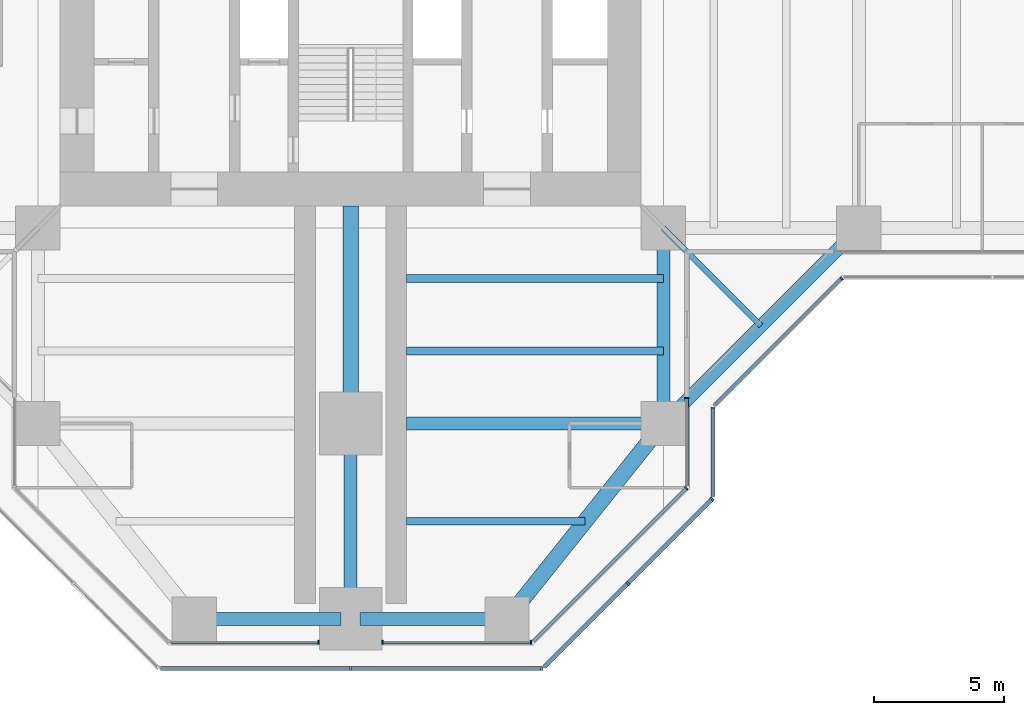
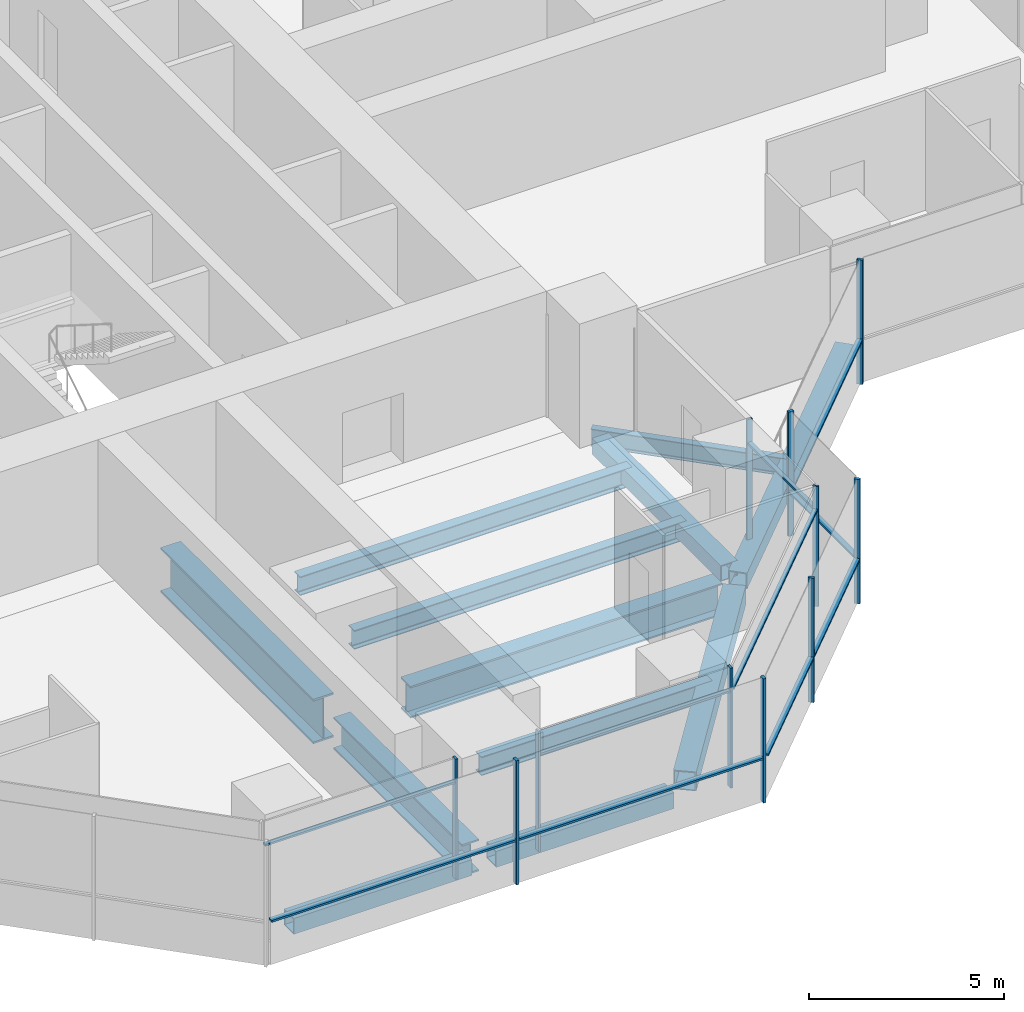
# One storey, part 4 of 20: 21 members, 12 beams, 8 elements without a shape of their own.
"""IFC4 building model written with IfcOpenShell, lengths in metres."""

from ifc_helpers import new_model, si_unit, direction, frame, origin, origin_2d, place, context, subcontext, project, spatial, rectangle, hollow_rectangle, i_section, extrude, material, material_profile, profile_set, type_object, element, aggregate, save


model = new_model("IFC4")

# Units and contexts
model_context = context("Model", 3, precision=1e-05, world=origin(), true_north=direction((0.0, 1.0)))
body_context = subcontext(model_context, "Body", "Model", "MODEL_VIEW")
ifc_project = project(units=[si_unit("LENGTHUNIT", "METRE"), si_unit("AREAUNIT", "SQUARE_METRE"), si_unit("VOLUMEUNIT", "CUBIC_METRE"), si_unit("PLANEANGLEUNIT", "RADIAN"), si_unit("MASSUNIT", "GRAM", prefix="KILO")], contexts=[model_context])

# Site, building, storey
site_placement = place(None, origin())
site = spatial("IfcSite", under=ifc_project, at=site_placement, CompositionType="ELEMENT")
building_placement = place(site_placement, origin())
building = spatial("IfcBuilding", under=site, at=building_placement, Name="Mizan Broadcast Tower", CompositionType="ELEMENT")
storey_placement = place(building_placement, frame((0.0, 0.0, 155.39990234375)))
storey = spatial("IfcBuildingStorey", under=building, at=storey_placement, Name="L35", CompositionType="ELEMENT", Elevation=155.39990234375)

# Beams
ifc_material_1 = material(Name="Steel S355", Category="steel")
ifc_material_profile_1 = material_profile(ifc_material_1, hollow_rectangle(XDim=0.5, YDim=0.5, WallThickness=0.030029296875, at=origin_2d()), Name="BOX 500x500x30")
ifc_profile_set_1 = profile_set([ifc_material_profile_1], Name="Steel S355")
beam_type_1 = type_object("IfcBeamType", Name="EDGE BEAM BOX 500x500x30", PredefinedType="SPANDREL", material=ifc_profile_set_1)
beam_1_placement = place(storey_placement, frame((-5.639892578125, -27.0, -0.3798828125), z_axis=(1.0, 0.0, 0.0), x_axis=(0.0, 1.0, 0.0)))
element("IfcBeam", 1, at=beam_1_placement, inside=storey, type_object=beam_type_1, Name="Edge beam BOX 500x500x30 L35 south arm", PredefinedType="SPANDREL", context=body_context, shape_type="SweptSolid", body=[
    extrude(hollow_rectangle(XDim=0.5, YDim=0.5, WallThickness=0.030029296875, at=origin_2d()), origin(), (0.0, 0.0, 1.0), 5.27978515625),
])
beam_2_placement = place(storey_placement, frame((12.0, -12.449951171875, -0.3798828125), z_axis=(0.0, -1.0, 0.0), x_axis=(1.0, 0.0, 0.0)))
element("IfcBeam", 2, at=beam_2_placement, inside=storey, type_object=beam_type_1, Name="Edge beam BOX 500x500x30 L35 south arm", PredefinedType="SPANDREL", context=body_context, shape_type="SweptSolid", body=[
    extrude(hollow_rectangle(XDim=0.5, YDim=0.5, WallThickness=0.030029296875, at=origin_2d()), origin(), (0.0, 0.0, 1.0), 6.60009765625),
])
beam_3_placement = place(storey_placement, frame((5.639892578125, -27.0, -0.3798828125), z_axis=(-1.0, 0.0, 0.0), x_axis=(0.0, -1.0, 0.0)))
element("IfcBeam", 3, at=beam_3_placement, inside=storey, type_object=beam_type_1, Name="Edge beam BOX 500x500x30 L35 south arm", PredefinedType="SPANDREL", context=body_context, shape_type="SweptSolid", body=[
    extrude(hollow_rectangle(XDim=0.5, YDim=0.5, WallThickness=0.030029296875, at=origin_2d()), origin(), (0.0, 0.0, 1.0), 5.27978515625),
])
beam_4_placement = place(storey_placement, frame((12.0, -19.5, -0.3798828125), z_axis=(0.707106781187, 0.707106781187, 0.0), x_axis=(-0.707106781187, 0.707106781187, 0.0)))
element("IfcBeam", 4, at=beam_4_placement, inside=storey, type_object=beam_type_1, Name="Winter garden edge beam L35 S", PredefinedType="SPANDREL", context=body_context, shape_type="SweptSolid", body=[
    extrude(hollow_rectangle(XDim=0.5, YDim=0.5, WallThickness=0.030029296875, at=origin_2d()), origin(), (0.0, 0.0, 1.0), 10.606689453125),
])
ifc_material_2 = material(Name="Steel S355", Category="steel")
ifc_material_profile_2 = material_profile(ifc_material_2, hollow_rectangle(XDim=0.60009765625, YDim=0.60009765625, WallThickness=0.030029296875, at=origin_2d()), Name="BOX 600x600x30")
ifc_profile_set_2 = profile_set([ifc_material_profile_2], Name="Steel S355")
beam_type_2 = type_object("IfcBeamType", Name="EDGE BEAM BOX 600x600x30", PredefinedType="SPANDREL", material=ifc_profile_set_2)
beam_5_placement = place(storey_placement, frame((11.639892578125, -19.949951171875, -0.429931640625), z_axis=(-0.624673911726, -0.780885717636, 0.0), x_axis=(0.780885717636, -0.624673911726, 0.0)))
element("IfcBeam", 5, at=beam_5_placement, inside=storey, type_object=beam_type_2, Name="Edge beam BOX 600x600x30 L35 south arm", PredefinedType="SPANDREL", context=body_context, shape_type="SweptSolid", body=[
    extrude(hollow_rectangle(XDim=0.60009765625, YDim=0.60009765625, WallThickness=0.030029296875, at=origin_2d()), origin(), (0.0, 0.0, 1.0), 8.4521484375),
])
ifc_material_3 = material(Name="Steel S460", Category="steel")
ifc_material_profile_3 = material_profile(ifc_material_3, i_section(OverallWidth=0.5, OverallDepth=1.0, WebThickness=0.02490234375, FlangeThickness=0.050048828125, at=origin_2d()), Name="WPG 1000x500")
ifc_profile_set_3 = profile_set([ifc_material_profile_3], Name="Steel S460")
beam_type_3 = type_object("IfcBeamType", Name="GIRDER WPG 1000x500", PredefinedType="BEAM", material=ifc_profile_set_3)
beam_6_placement = place(storey_placement, frame((0.0, -19.949951171875, -0.6298828125), z_axis=(0.0, -1.0, 0.0), x_axis=(1.0, 0.0, 0.0)))
element("IfcBeam", 6, at=beam_6_placement, inside=storey, type_object=beam_type_3, Name="Girder WPG 1000x500 L35 south arm", PredefinedType="BEAM", context=body_context, shape_type="SweptSolid", body=[
    extrude(i_section(OverallWidth=0.5, OverallDepth=1.0, WebThickness=0.02490234375, FlangeThickness=0.050048828125, at=origin_2d()), origin(), (0.0, 0.0, 1.0), 6.60009765625),
])
beam_7_placement = place(storey_placement, frame((11.408935546875, -19.5, -0.6298828125), z_axis=(-1.0, 0.0, 0.0), x_axis=(0.0, -1.0, 0.0)))
element("IfcBeam", 7, at=beam_7_placement, inside=storey, type_object=beam_type_3, Name="Girder WPG 1000x500 L35 south arm", PredefinedType="BEAM", context=body_context, shape_type="SweptSolid", body=[
    extrude(i_section(OverallWidth=0.5, OverallDepth=1.0, WebThickness=0.02490234375, FlangeThickness=0.050048828125, at=origin_2d()), origin(), (0.0, 0.0, 1.0), 9.259033203125),
])
ifc_material_4 = material(Name="Steel S460", Category="steel")
ifc_material_profile_4 = material_profile(ifc_material_4, i_section(OverallWidth=0.60009765625, OverallDepth=1.39990234375, WebThickness=0.02490234375, FlangeThickness=0.06005859375, at=origin_2d()), Name="WPG 1400x600")
ifc_profile_set_4 = profile_set([ifc_material_profile_4], Name="Steel S460")
beam_type_4 = type_object("IfcBeamType", Name="GIRDER WPG 1400x600", PredefinedType="BEAM", material=ifc_profile_set_4)
beam_8_placement = place(storey_placement, frame((0.0, -11.14990234375, -0.829833984375), z_axis=(0.0, -1.0, 0.0), x_axis=(1.0, 0.0, 0.0)))
element("IfcBeam", 8, at=beam_8_placement, inside=storey, type_object=beam_type_4, Name="Girder WPG 1400x600 L35 south arm", PredefinedType="BEAM", context=body_context, shape_type="SweptSolid", body=[
    extrude(i_section(OverallWidth=0.60009765625, OverallDepth=1.39990234375, WebThickness=0.02490234375, FlangeThickness=0.06005859375, at=origin_2d()), origin(), (0.0, 0.0, 1.0), 7.84912109375),
])

# Curtain wall, member
ifc_material_5 = material(Name="Aluminium framed glazing", Category="aluminium")
curtain_wall_type_1 = type_object("IfcCurtainWallType", Name="INNER SKIN MID ZONE", PredefinedType="USERDEFINED", material=ifc_material_5)
curtain_wall_1_placement = place(storey_placement, origin())
curtain_wall_1 = element("IfcCurtainWall", 9, at=curtain_wall_1_placement, inside=storey, type_object=curtain_wall_type_1, Name="Inner skin mid zone L35 S end", ObjectType="INNER SKIN MID ZONE", PredefinedType="USERDEFINED")
ifc_material_6 = material(Name="Aluminium, pale anodised", Category="aluminium")
ifc_material_profile_5 = material_profile(ifc_material_6, rectangle(XDim=0.159912109375, YDim=0.06005859375, at=origin_2d()), Name="MULLION 160x60")
ifc_profile_set_5 = profile_set([ifc_material_profile_5], Name="Aluminium, pale anodised")
member_type_1 = type_object("IfcMemberType", Name="INNER SKIN MULLION 60x160", PredefinedType="MULLION", material=ifc_profile_set_5)
member_1_placement = place(storey_placement, frame((-1.22998046875, -27.89990234375, 0.0), z_axis=(0.0, 0.0, 1.0), x_axis=(0.0, 1.0, 0.0)))
member_1 = element("IfcMember", 10, at=member_1_placement, type_object=member_type_1, Name="Inner skin mid zone L35 S end mullion 2", PredefinedType="MULLION", context=body_context, shape_type="SweptSolid", body=[
    extrude(rectangle(XDim=0.159912109375, YDim=0.06005859375, at=origin_2d()), origin(), (0.0, 0.0, 1.0), 3.77001953125),
])

# Curtain wall, members
curtain_wall_2_placement = place(storey_placement, origin())
curtain_wall_2 = element("IfcCurtainWall", 11, at=curtain_wall_2_placement, inside=storey, type_object=curtain_wall_type_1, Name="Inner skin mid zone L35 S end", ObjectType="INNER SKIN MID ZONE", PredefinedType="USERDEFINED")
member_2_placement = place(storey_placement, frame((1.22998046875, -27.89990234375, 0.0), z_axis=(0.0, 0.0, 1.0), x_axis=(0.0, 1.0, 0.0)))
member_2 = element("IfcMember", 12, at=member_2_placement, type_object=member_type_1, Name="Inner skin mid zone L35 S end mullion 1", PredefinedType="MULLION", context=body_context, shape_type="SweptSolid", body=[
    extrude(rectangle(XDim=0.159912109375, YDim=0.06005859375, at=origin_2d()), origin(), (0.0, 0.0, 1.0), 3.77001953125),
])
member_3_placement = place(storey_placement, frame((6.928466796875, -27.89990234375, 0.0), z_axis=(0.0, 0.0, 1.0), x_axis=(0.0, 1.0, 0.0)))
member_3 = element("IfcMember", 13, at=member_3_placement, type_object=member_type_1, Name="Inner skin mid zone L35 S end mullion 2", PredefinedType="MULLION", context=body_context, shape_type="SweptSolid", body=[
    extrude(rectangle(XDim=0.159912109375, YDim=0.06005859375, at=origin_2d()), origin(), (0.0, 0.0, 1.0), 3.77001953125),
])

# Curtain wall, member
curtain_wall_3_placement = place(storey_placement, origin())
curtain_wall_3 = element("IfcCurtainWall", 14, at=curtain_wall_3_placement, inside=storey, type_object=curtain_wall_type_1, Name="Inner skin mid zone L35 S chamfer", ObjectType="INNER SKIN MID ZONE", PredefinedType="USERDEFINED")
member_4_placement = place(storey_placement, frame((12.87890625, -21.979736328125, 0.0), z_axis=(0.0, 0.0, 1.0), x_axis=(-0.707106781187, 0.707106781187, 0.0)))
member_4 = element("IfcMember", 15, at=member_4_placement, type_object=member_type_1, Name="Inner skin mid zone L35 S chamfer mullion 2", PredefinedType="MULLION", context=body_context, shape_type="SweptSolid", body=[
    extrude(rectangle(XDim=0.159912109375, YDim=0.06005859375, at=origin_2d()), origin(), (0.0, 0.0, 1.0), 3.77001953125),
])

curtain_wall_4_placement = place(storey_placement, origin())
curtain_wall_4 = element("IfcCurtainWall", 16, at=curtain_wall_4_placement, inside=storey, type_object=curtain_wall_type_1, Name="Inner skin mid zone L35 S side", ObjectType="INNER SKIN MID ZONE", PredefinedType="USERDEFINED")
member_5_placement = place(storey_placement, frame((12.89990234375, -18.530029296875, 0.0), z_axis=(0.0, 0.0, 1.0), x_axis=(-1.0, 0.0, 0.0)))
member_5 = element("IfcMember", 17, at=member_5_placement, type_object=member_type_1, Name="Inner skin mid zone L35 S side mullion 2", PredefinedType="MULLION", context=body_context, shape_type="SweptSolid", body=[
    extrude(rectangle(XDim=0.159912109375, YDim=0.06005859375, at=origin_2d()), origin(), (0.0, 0.0, 1.0), 3.77001953125),
])

# Member
ifc_material_7 = material(Name="Aluminium, pale anodised", Category="aluminium")
ifc_material_profile_6 = material_profile(ifc_material_7, rectangle(XDim=0.1201171875, YDim=0.06005859375, at=origin_2d()), Name="TRANSOM 120x60")
ifc_profile_set_6 = profile_set([ifc_material_profile_6], Name="Aluminium, pale anodised")
member_type_2 = type_object("IfcMemberType", Name="INNER SKIN TRANSOM 60x120", PredefinedType="USERDEFINED", material=ifc_profile_set_6)
member_6_placement = place(storey_placement, frame((-6.898681640625, -27.89990234375, 3.030029296875), z_axis=(1.0, 0.0, 0.0), x_axis=(0.0, 1.0, 0.0)))
member_6 = element("IfcMember", 18, at=member_6_placement, type_object=member_type_2, Name="Inner skin mid zone L35 S end transom 1.1", ObjectType="TRANSOM", PredefinedType="USERDEFINED", context=body_context, shape_type="SweptSolid", body=[
    extrude(rectangle(XDim=0.1201171875, YDim=0.06005859375, at=origin_2d()), origin(), (0.0, 0.0, 1.0), 5.638671875),
])

aggregate(curtain_wall_1, [member_1, member_6])

member_7_placement = place(storey_placement, frame((1.260009765625, -27.89990234375, 3.030029296875), z_axis=(1.0, 0.0, 0.0), x_axis=(0.0, 1.0, 0.0)))
member_7 = element("IfcMember", 19, at=member_7_placement, type_object=member_type_2, Name="Inner skin mid zone L35 S end transom 1.1", ObjectType="TRANSOM", PredefinedType="USERDEFINED", context=body_context, shape_type="SweptSolid", body=[
    extrude(rectangle(XDim=0.1201171875, YDim=0.06005859375, at=origin_2d()), origin(), (0.0, 0.0, 1.0), 5.638671875),
])

aggregate(curtain_wall_2, [member_2, member_3, member_7])

member_8_placement = place(storey_placement, frame((7.0009765625, -27.857666015625, 3.030029296875), z_axis=(0.707106781187, 0.707106781187, 0.0), x_axis=(-0.707106781187, 0.707106781187, 0.0)))
member_8 = element("IfcMember", 20, at=member_8_placement, type_object=member_type_2, Name="Inner skin mid zone L35 S chamfer transom 1.1", ObjectType="TRANSOM", PredefinedType="USERDEFINED", context=body_context, shape_type="SweptSolid", body=[
    extrude(rectangle(XDim=0.1201171875, YDim=0.06005859375, at=origin_2d()), origin(), (0.0, 0.0, 1.0), 8.28271484375),
])

aggregate(curtain_wall_3, [member_4, member_8])

member_9_placement = place(storey_placement, frame((12.89990234375, -21.898681640625, 3.030029296875), z_axis=(0.0, 1.0, 0.0), x_axis=(-1.0, 0.0, 0.0)))
member_9 = element("IfcMember", 21, at=member_9_placement, type_object=member_type_2, Name="Inner skin mid zone L35 S side transom 1.1", ObjectType="TRANSOM", PredefinedType="USERDEFINED", context=body_context, shape_type="SweptSolid", body=[
    extrude(rectangle(XDim=0.1201171875, YDim=0.06005859375, at=origin_2d()), origin(), (0.0, 0.0, 1.0), 3.338623046875),
])

aggregate(curtain_wall_4, [member_5, member_9])

# Curtain wall, members
ifc_material_8 = material(Name="Aluminium framed glazing", Category="aluminium")
curtain_wall_type_2 = type_object("IfcCurtainWallType", Name="OUTER SKIN", PredefinedType="USERDEFINED", material=ifc_material_8)
curtain_wall_5_placement = place(storey_placement, origin())
curtain_wall_5 = element("IfcCurtainWall", 22, at=curtain_wall_5_placement, inside=storey, type_object=curtain_wall_type_2, Name="Outer skin L35 S end", ObjectType="OUTER SKIN", PredefinedType="USERDEFINED")
ifc_material_9 = material(Name="Aluminium, pale anodised", Category="aluminium")
ifc_material_profile_7 = material_profile(ifc_material_9, rectangle(XDim=0.159912109375, YDim=0.080078125, at=origin_2d()), Name="MULLION 160x80")
ifc_profile_set_7 = profile_set([ifc_material_profile_7], Name="Aluminium, pale anodised")
member_type_3 = type_object("IfcMemberType", Name="OUTER SKIN MULLION 80x160", PredefinedType="MULLION", material=ifc_profile_set_7)
member_10_placement = place(storey_placement, frame((0.0, -28.89990234375, 0.0), z_axis=(0.0, 0.0, 1.0), x_axis=(0.0, 1.0, 0.0)))
member_10 = element("IfcMember", 23, at=member_10_placement, type_object=member_type_3, Name="Outer skin L35 S end mullion 2", PredefinedType="MULLION", context=body_context, shape_type="SweptSolid", body=[
    extrude(rectangle(XDim=0.159912109375, YDim=0.080078125, at=origin_2d()), origin(), (0.0, 0.0, 1.0), 3.900146484375),
])
member_11_placement = place(storey_placement, frame((7.332763671875, -28.89990234375, 0.0), z_axis=(0.0, 0.0, 1.0), x_axis=(0.0, 1.0, 0.0)))
member_11 = element("IfcMember", 24, at=member_11_placement, type_object=member_type_3, Name="Outer skin L35 S end mullion 3", PredefinedType="MULLION", context=body_context, shape_type="SweptSolid", body=[
    extrude(rectangle(XDim=0.159912109375, YDim=0.080078125, at=origin_2d()), origin(), (0.0, 0.0, 1.0), 3.900146484375),
])

curtain_wall_6_placement = place(storey_placement, origin())
curtain_wall_6 = element("IfcCurtainWall", 25, at=curtain_wall_6_placement, inside=storey, type_object=curtain_wall_type_2, Name="Outer skin L35 S chamfer", ObjectType="OUTER SKIN", PredefinedType="USERDEFINED")
member_12_placement = place(storey_placement, frame((10.636474609375, -25.636474609375, 0.0), z_axis=(0.0, 0.0, 1.0), x_axis=(-0.707106781187, 0.707106781187, 0.0)))
member_12 = element("IfcMember", 26, at=member_12_placement, type_object=member_type_3, Name="Outer skin L35 S chamfer mullion 2", PredefinedType="MULLION", context=body_context, shape_type="SweptSolid", body=[
    extrude(rectangle(XDim=0.159912109375, YDim=0.080078125, at=origin_2d()), origin(), (0.0, 0.0, 1.0), 3.900146484375),
])
member_13_placement = place(storey_placement, frame((13.871826171875, -22.401123046875, 0.0), z_axis=(0.0, 0.0, 1.0), x_axis=(-0.707106781187, 0.707106781187, 0.0)))
member_13 = element("IfcMember", 27, at=member_13_placement, type_object=member_type_3, Name="Outer skin L35 S chamfer mullion 3", PredefinedType="MULLION", context=body_context, shape_type="SweptSolid", body=[
    extrude(rectangle(XDim=0.159912109375, YDim=0.080078125, at=origin_2d()), origin(), (0.0, 0.0, 1.0), 3.900146484375),
])

# Curtain wall, member
curtain_wall_7_placement = place(storey_placement, origin())
curtain_wall_7 = element("IfcCurtainWall", 28, at=curtain_wall_7_placement, inside=storey, type_object=curtain_wall_type_2, Name="Outer skin L35 S side", ObjectType="OUTER SKIN", PredefinedType="USERDEFINED")
member_14_placement = place(storey_placement, frame((13.89990234375, -18.912841796875, 0.0), z_axis=(0.0, 0.0, 1.0), x_axis=(-1.0, 0.0, 0.0)))
member_14 = element("IfcMember", 29, at=member_14_placement, type_object=member_type_3, Name="Outer skin L35 S side mullion 2", PredefinedType="MULLION", context=body_context, shape_type="SweptSolid", body=[
    extrude(rectangle(XDim=0.159912109375, YDim=0.080078125, at=origin_2d()), origin(), (0.0, 0.0, 1.0), 3.900146484375),
])

curtain_wall_8_placement = place(storey_placement, origin())
curtain_wall_8 = element("IfcCurtainWall", 30, at=curtain_wall_8_placement, inside=storey, type_object=curtain_wall_type_2, Name="Outer skin L35 E chamfer", ObjectType="OUTER SKIN", PredefinedType="USERDEFINED")
member_15_placement = place(storey_placement, frame((18.844482421875, -13.92822265625, 0.0), z_axis=(0.0, 0.0, 1.0), x_axis=(-0.707106781187, 0.707106781187, 0.0)))
member_15 = element("IfcMember", 31, at=member_15_placement, type_object=member_type_3, Name="Outer skin L35 E chamfer mullion 2", PredefinedType="MULLION", context=body_context, shape_type="SweptSolid", body=[
    extrude(rectangle(XDim=0.159912109375, YDim=0.080078125, at=origin_2d()), origin(), (0.0, 0.0, 1.0), 3.900146484375),
])

# Member
ifc_material_10 = material(Name="Aluminium, pale anodised", Category="aluminium")
ifc_material_profile_8 = material_profile(ifc_material_10, rectangle(XDim=0.159912109375, YDim=0.06005859375, at=origin_2d()), Name="TRANSOM 160x60")
ifc_profile_set_8 = profile_set([ifc_material_profile_8], Name="Aluminium, pale anodised")
member_type_4 = type_object("IfcMemberType", Name="OUTER SKIN TRANSOM 60x160", PredefinedType="USERDEFINED", material=ifc_profile_set_8)
member_16_placement = place(storey_placement, frame((-7.292724609375, -28.89990234375, 1.400146484375), z_axis=(1.0, 0.0, 0.0), x_axis=(0.0, 1.0, 0.0)))
member_16 = element("IfcMember", 32, at=member_16_placement, type_object=member_type_4, Name="Outer skin L35 S end transom 1.1", ObjectType="TRANSOM", PredefinedType="USERDEFINED", context=body_context, shape_type="SweptSolid", body=[
    extrude(rectangle(XDim=0.159912109375, YDim=0.06005859375, at=origin_2d()), origin(), (0.0, 0.0, 1.0), 7.252685546875),
])

member_17_placement = place(storey_placement, frame((0.0400390625, -28.89990234375, 1.400146484375), z_axis=(1.0, 0.0, 0.0), x_axis=(0.0, 1.0, 0.0)))
member_17 = element("IfcMember", 33, at=member_17_placement, type_object=member_type_4, Name="Outer skin L35 S end transom 2.1", ObjectType="TRANSOM", PredefinedType="USERDEFINED", context=body_context, shape_type="SweptSolid", body=[
    extrude(rectangle(XDim=0.159912109375, YDim=0.06005859375, at=origin_2d()), origin(), (0.0, 0.0, 1.0), 7.252685546875),
])

aggregate(curtain_wall_5, [member_10, member_11, member_16, member_17])

member_18_placement = place(storey_placement, frame((7.429443359375, -28.843505859375, 1.400146484375), z_axis=(0.707106781187, 0.707106781187, 0.0), x_axis=(-0.707106781187, 0.707106781187, 0.0)))
member_18 = element("IfcMember", 34, at=member_18_placement, type_object=member_type_4, Name="Outer skin L35 S chamfer transom 1.1", ObjectType="TRANSOM", PredefinedType="USERDEFINED", context=body_context, shape_type="SweptSolid", body=[
    extrude(rectangle(XDim=0.159912109375, YDim=0.06005859375, at=origin_2d()), origin(), (0.0, 0.0, 1.0), 4.495361328125),
])

member_19_placement = place(storey_placement, frame((10.664794921875, -25.608154296875, 1.400146484375), z_axis=(0.707106781187, 0.707106781187, 0.0), x_axis=(-0.707106781187, 0.707106781187, 0.0)))
member_19 = element("IfcMember", 35, at=member_19_placement, type_object=member_type_4, Name="Outer skin L35 S chamfer transom 2.1", ObjectType="TRANSOM", PredefinedType="USERDEFINED", context=body_context, shape_type="SweptSolid", body=[
    extrude(rectangle(XDim=0.159912109375, YDim=0.06005859375, at=origin_2d()), origin(), (0.0, 0.0, 1.0), 4.495361328125),
])

aggregate(curtain_wall_6, [member_12, member_13, member_18, member_19])

member_20_placement = place(storey_placement, frame((13.89990234375, -22.292724609375, 1.400146484375), z_axis=(0.0, 1.0, 0.0), x_axis=(-1.0, 0.0, 0.0)))
member_20 = element("IfcMember", 36, at=member_20_placement, type_object=member_type_4, Name="Outer skin L35 S side transom 1.1", ObjectType="TRANSOM", PredefinedType="USERDEFINED", context=body_context, shape_type="SweptSolid", body=[
    extrude(rectangle(XDim=0.159912109375, YDim=0.06005859375, at=origin_2d()), origin(), (0.0, 0.0, 1.0), 3.33984375),
])

aggregate(curtain_wall_7, [member_14, member_20])

member_21_placement = place(storey_placement, frame((13.95654296875, -18.816162109375, 1.400146484375), z_axis=(0.707106781187, 0.707106781187, 0.0), x_axis=(-0.707106781187, 0.707106781187, 0.0)))
member_21 = element("IfcMember", 37, at=member_21_placement, type_object=member_type_4, Name="Outer skin L35 E chamfer transom 1.1", ObjectType="TRANSOM", PredefinedType="USERDEFINED", context=body_context, shape_type="SweptSolid", body=[
    extrude(rectangle(XDim=0.159912109375, YDim=0.06005859375, at=origin_2d()), origin(), (0.0, 0.0, 1.0), 6.87255859375),
])

aggregate(curtain_wall_8, [member_15, member_21])

# Beams
ifc_material_11 = material(Name="Steel S355", Category="steel")
ifc_material_profile_9 = material_profile(ifc_material_11, i_section(OverallWidth=0.300048828125, OverallDepth=0.590087890625, WebThickness=0.012939453125, FlangeThickness=0.02490234375, FilletRadius=0.027099609375, at=origin_2d()), Name="HEA 600")
ifc_profile_set_9 = profile_set([ifc_material_profile_9], Name="Steel S355")
beam_type_5 = type_object("IfcBeamType", Name="SECONDARY BEAM HEA 600", PredefinedType="JOIST", material=ifc_profile_set_9)
for number, where, z_axis, x_axis, name in (
    (38, (12.0, -13.933349609375, -0.4248046875), (-1.0, 0.0, 0.0), (0.0, -1.0, 0.0), "Secondary beam HEA 600 L35 south arm"),
    (39, (12.0, -16.716552734375, -0.4248046875), (-1.0, 0.0, 0.0), (0.0, -1.0, 0.0), "Secondary beam HEA 600 L35 south arm"),
):
    element("IfcBeam", number, at=place(storey_placement, frame(where, z_axis=z_axis, x_axis=x_axis)), inside=storey, type_object=beam_type_5, Name=name, PredefinedType="JOIST", context=body_context, shape_type="SweptSolid", body=[
        extrude(i_section(OverallWidth=0.300048828125, OverallDepth=0.590087890625, WebThickness=0.012939453125, FlangeThickness=0.02490234375, FilletRadius=0.027099609375, at=origin_2d()), origin(), (0.0, 0.0, 1.0), 9.85009765625),
    ])
beam_9_placement = place(storey_placement, frame((9.0, -23.25, -0.4248046875), z_axis=(-1.0, 0.0, 0.0), x_axis=(0.0, -1.0, 0.0)))
element("IfcBeam", 40, at=beam_9_placement, inside=storey, type_object=beam_type_5, Name="Secondary beam HEA 600 L35 south arm", PredefinedType="JOIST", context=body_context, shape_type="SweptSolid", body=[
    extrude(i_section(OverallWidth=0.300048828125, OverallDepth=0.590087890625, WebThickness=0.012939453125, FlangeThickness=0.02490234375, FilletRadius=0.027099609375, at=origin_2d()), origin(), (0.0, 0.0, 1.0), 6.85009765625),
])
ifc_material_12 = material(Name="Steel S355", Category="steel")
ifc_material_profile_10 = material_profile(ifc_material_12, i_section(OverallWidth=0.2099609375, OverallDepth=0.550048828125, WebThickness=0.010986328125, FlangeThickness=0.01708984375, FilletRadius=0.02392578125, at=origin_2d()), Name="IPE 550")
ifc_profile_set_10 = profile_set([ifc_material_profile_10], Name="Steel S355")
beam_type_6 = type_object("IfcBeamType", Name="SECONDARY BEAM IPE 550", PredefinedType="JOIST", material=ifc_profile_set_10)
beam_10_placement = place(storey_placement, frame((12.0, -12.0, -0.40478515625), z_axis=(0.707106781187, -0.707106781187, 0.0), x_axis=(0.707106781187, 0.707106781187, 0.0)))
element("IfcBeam", 41, at=beam_10_placement, inside=storey, type_object=beam_type_6, Name="Winter garden beam L35 S", PredefinedType="JOIST", context=body_context, shape_type="SweptSolid", body=[
    extrude(i_section(OverallWidth=0.2099609375, OverallDepth=0.550048828125, WebThickness=0.010986328125, FlangeThickness=0.01708984375, FilletRadius=0.02392578125, at=origin_2d()), origin(), (0.0, 0.0, 1.0), 5.30322265625),
])

save(model, "model.ifc")
